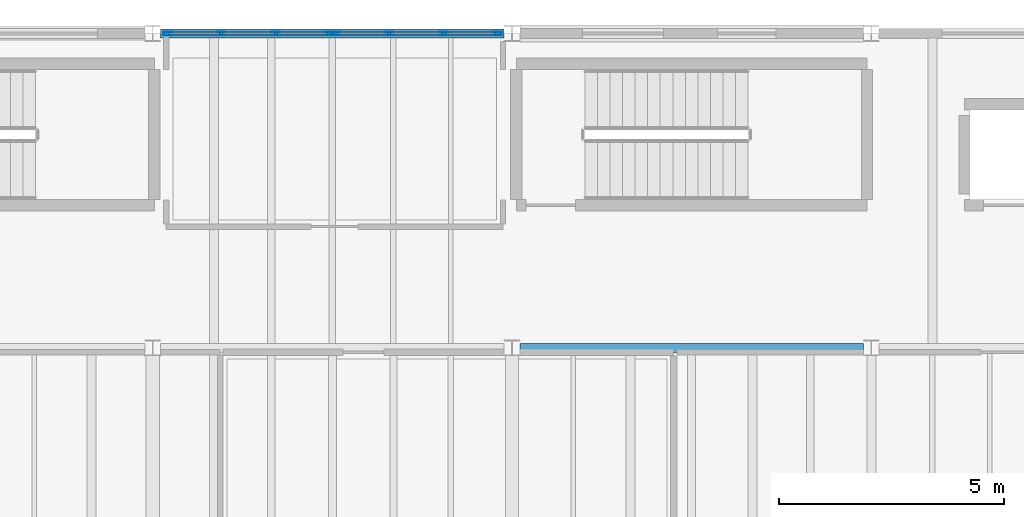
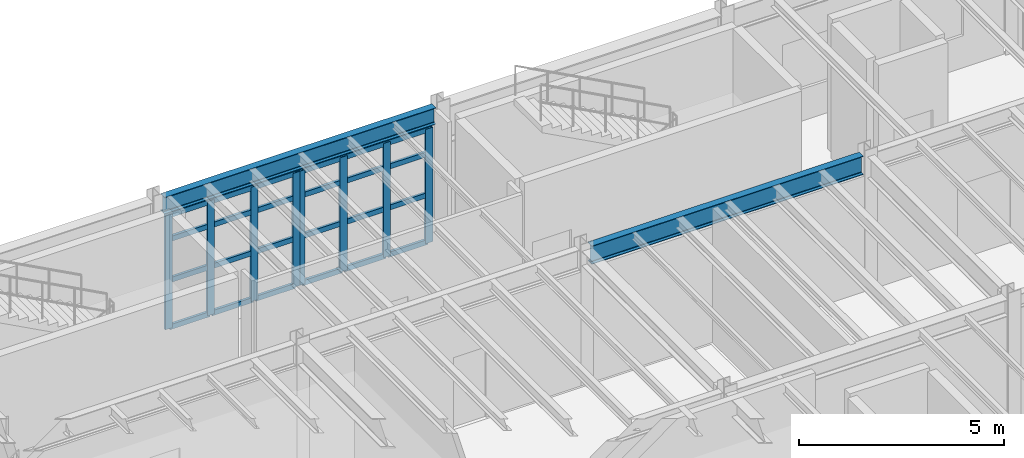
# One storey, part 20 of 78: 32 members, 2 beams, 2 elements without a shape of their own.
"""IFC4 building model written with IfcOpenShell, lengths in metres."""

from ifc_helpers import new_model, si_unit, direction, frame, origin, origin_2d, place, context, subcontext, project, spatial, hollow_rectangle, i_section, extrude, material, material_profile, profile_set, type_object, element, aggregate, save


model = new_model("IFC4")

# Units and contexts
model_context = context("Model", 3, precision=1e-05, world=origin(), true_north=direction((0.0, 1.0)))
body_context = subcontext(model_context, "Body", "Model", "MODEL_VIEW")
ifc_project = project(units=[si_unit("LENGTHUNIT", "METRE"), si_unit("AREAUNIT", "SQUARE_METRE"), si_unit("VOLUMEUNIT", "CUBIC_METRE"), si_unit("PLANEANGLEUNIT", "RADIAN"), si_unit("MASSUNIT", "GRAM", prefix="KILO"), si_unit("THERMODYNAMICTEMPERATUREUNIT", "KELVIN"), si_unit("POWERUNIT", "WATT")], contexts=[model_context])

# Site, building, storey
site_placement = place(None, origin())
site = spatial("IfcSite", under=ifc_project, at=site_placement, CompositionType="ELEMENT")
building_placement = place(site_placement, origin())
building = spatial("IfcBuilding", under=site, at=building_placement, Name="Zhenchuan Central Fire Station", CompositionType="ELEMENT")
storey_placement = place(building_placement, frame((0.0, 0.0, 5.85009765625)))
storey = spatial("IfcBuildingStorey", under=building, at=storey_placement, Name="L02", CompositionType="ELEMENT", Elevation=5.85009765625)

# Beam
ifc_material_1 = material(Name="Steel Q355B", Category="steel")
ifc_material_profile_1 = material_profile(ifc_material_1, i_section(OverallWidth=0.199951171875, OverallDepth=0.550048828125, WebThickness=0.010009765625, FlangeThickness=0.01611328125, FilletRadius=0.02001953125, at=origin_2d()), Name="HN 550x200")
ifc_profile_set_1 = profile_set([ifc_material_profile_1], Name="Steel Q355B")
beam_type_1 = type_object("IfcBeamType", Name="BM-HN550-INT", PredefinedType="BEAM", material=ifc_profile_set_1)
beam_1_placement = place(storey_placement, frame((16.175048828125, 49.5, 3.724853515625), z_axis=(1.0, 0.0, 0.0), x_axis=(0.0, 1.0, 0.0)))
element("IfcBeam", 1, at=beam_1_placement, inside=storey, type_object=beam_type_1, Name="L03 Girder EW 0255", PredefinedType="BEAM", context=body_context, shape_type="SweptSolid", body=[
    extrude(i_section(OverallWidth=0.199951171875, OverallDepth=0.550048828125, WebThickness=0.010009765625, FlangeThickness=0.01611328125, FilletRadius=0.02001953125, at=origin_2d()), origin(), (0.0, 0.0, 1.0), 7.64990234375),
])

# Curtain wall, members
ifc_material_2 = material(Name="Anodised aluminium and low-E glazing", Category="aluminium")
curtain_wall_type_1 = type_object("IfcCurtainWallType", Name="CW-MOD-05", PredefinedType="USERDEFINED", material=ifc_material_2)
curtain_wall_1_placement = place(storey_placement, origin())
curtain_wall_1 = element("IfcCurtainWall", 2, at=curtain_wall_1_placement, inside=storey, type_object=curtain_wall_type_1, Name="L02 Unitised Curtain Wall 058", ObjectType="UNITISED GLAZING", PredefinedType="USERDEFINED")
ifc_material_3 = material(Name="Anodised aluminium EN AW-6063", Category="aluminium")
ifc_material_profile_2 = material_profile(ifc_material_3, hollow_rectangle(XDim=0.074951171875, YDim=0.199951171875, WallThickness=0.0048828125, at=origin_2d()), Name="ALU-M 200x75")
ifc_profile_set_2 = profile_set([ifc_material_profile_2], Name="Anodised aluminium EN AW-6063")
member_type_1 = type_object("IfcMemberType", Name="CW-MUL160", PredefinedType="MULLION", material=ifc_profile_set_2)
member_1_placement = place(storey_placement, frame((8.33251953125, 56.5, -0.004150390625), z_axis=(0.0, 0.0, 1.0), x_axis=(0.0, 1.0, 0.0)))
member_1 = element("IfcMember", 3, at=member_1_placement, type_object=member_type_1, Name="CW-05 mullion 1", PredefinedType="MULLION", context=body_context, shape_type="SweptSolid", body=[
    extrude(hollow_rectangle(XDim=0.074951171875, YDim=0.199951171875, WallThickness=0.0048828125, at=origin_2d()), origin(), (0.0, 0.0, 1.0), 3.404052734375),
])
member_2_placement = place(storey_placement, frame((9.520751953125, 56.5, -0.004150390625), z_axis=(0.0, 0.0, 1.0), x_axis=(0.0, 1.0, 0.0)))
member_2 = element("IfcMember", 4, at=member_2_placement, type_object=member_type_1, Name="CW-05 mullion 2", PredefinedType="MULLION", context=body_context, shape_type="SweptSolid", body=[
    extrude(hollow_rectangle(XDim=0.074951171875, YDim=0.199951171875, WallThickness=0.0048828125, at=origin_2d()), origin(), (0.0, 0.0, 1.0), 3.404052734375),
])
member_3_placement = place(storey_placement, frame((10.741455078125, 56.5, -0.004150390625), z_axis=(0.0, 0.0, 1.0), x_axis=(0.0, 1.0, 0.0)))
member_3 = element("IfcMember", 5, at=member_3_placement, type_object=member_type_1, Name="CW-05 mullion 3", PredefinedType="MULLION", context=body_context, shape_type="SweptSolid", body=[
    extrude(hollow_rectangle(XDim=0.074951171875, YDim=0.199951171875, WallThickness=0.0048828125, at=origin_2d()), origin(), (0.0, 0.0, 1.0), 3.404052734375),
])
member_4_placement = place(storey_placement, frame((11.929443359375, 56.5, -0.004150390625), z_axis=(0.0, 0.0, 1.0), x_axis=(0.0, 1.0, 0.0)))
member_4 = element("IfcMember", 6, at=member_4_placement, type_object=member_type_1, Name="CW-05 mullion 4", PredefinedType="MULLION", context=body_context, shape_type="SweptSolid", body=[
    extrude(hollow_rectangle(XDim=0.074951171875, YDim=0.199951171875, WallThickness=0.0048828125, at=origin_2d()), origin(), (0.0, 0.0, 1.0), 3.404052734375),
])

curtain_wall_type_2 = type_object("IfcCurtainWallType", Name="CW-MOD-06", PredefinedType="USERDEFINED", material=ifc_material_2)
curtain_wall_2_placement = place(storey_placement, origin())
curtain_wall_2 = element("IfcCurtainWall", 7, at=curtain_wall_2_placement, inside=storey, type_object=curtain_wall_type_2, Name="L02 Unitised Curtain Wall 059", ObjectType="UNITISED GLAZING", PredefinedType="USERDEFINED")
member_5_placement = place(storey_placement, frame((12.070556640625, 56.5, -0.004150390625), z_axis=(0.0, 0.0, 1.0), x_axis=(0.0, 1.0, 0.0)))
member_5 = element("IfcMember", 8, at=member_5_placement, type_object=member_type_1, Name="CW-06 mullion 1", PredefinedType="MULLION", context=body_context, shape_type="SweptSolid", body=[
    extrude(hollow_rectangle(XDim=0.074951171875, YDim=0.199951171875, WallThickness=0.0048828125, at=origin_2d()), origin(), (0.0, 0.0, 1.0), 3.404052734375),
])
member_6_placement = place(storey_placement, frame((13.258544921875, 56.5, -0.004150390625), z_axis=(0.0, 0.0, 1.0), x_axis=(0.0, 1.0, 0.0)))
member_6 = element("IfcMember", 9, at=member_6_placement, type_object=member_type_1, Name="CW-06 mullion 2", PredefinedType="MULLION", context=body_context, shape_type="SweptSolid", body=[
    extrude(hollow_rectangle(XDim=0.074951171875, YDim=0.199951171875, WallThickness=0.0048828125, at=origin_2d()), origin(), (0.0, 0.0, 1.0), 3.404052734375),
])
member_7_placement = place(storey_placement, frame((14.479248046875, 56.5, -0.004150390625), z_axis=(0.0, 0.0, 1.0), x_axis=(0.0, 1.0, 0.0)))
member_7 = element("IfcMember", 10, at=member_7_placement, type_object=member_type_1, Name="CW-06 mullion 3", PredefinedType="MULLION", context=body_context, shape_type="SweptSolid", body=[
    extrude(hollow_rectangle(XDim=0.074951171875, YDim=0.199951171875, WallThickness=0.0048828125, at=origin_2d()), origin(), (0.0, 0.0, 1.0), 3.404052734375),
])
member_8_placement = place(storey_placement, frame((15.66748046875, 56.5, -0.004150390625), z_axis=(0.0, 0.0, 1.0), x_axis=(0.0, 1.0, 0.0)))
member_8 = element("IfcMember", 11, at=member_8_placement, type_object=member_type_1, Name="CW-06 mullion 4", PredefinedType="MULLION", context=body_context, shape_type="SweptSolid", body=[
    extrude(hollow_rectangle(XDim=0.074951171875, YDim=0.199951171875, WallThickness=0.0048828125, at=origin_2d()), origin(), (0.0, 0.0, 1.0), 3.404052734375),
])

# Member
ifc_material_profile_3 = material_profile(ifc_material_3, hollow_rectangle(XDim=0.074951171875, YDim=0.14990234375, WallThickness=0.0048828125, at=origin_2d()), Name="ALU-T 150x75")
ifc_profile_set_3 = profile_set([ifc_material_profile_3], Name="Anodised aluminium EN AW-6063")
member_type_2 = type_object("IfcMemberType", Name="CW-TRN130", PredefinedType="NOTDEFINED", material=ifc_profile_set_3)
member_9_placement = place(storey_placement, frame((8.364990234375, 56.5, 0.0283203125), z_axis=(1.0, 0.0, 0.0), x_axis=(0.0, 1.0, 0.0)))
member_9 = element("IfcMember", 12, at=member_9_placement, type_object=member_type_2, Name="CW-05 transom 1.1", ObjectType="TRANSOM", PredefinedType="USERDEFINED", context=body_context, shape_type="SweptSolid", body=[
    extrude(hollow_rectangle(XDim=0.074951171875, YDim=0.14990234375, WallThickness=0.0048828125, at=origin_2d()), origin(), (0.0, 0.0, 1.0), 1.123291015625),
])

member_10_placement = place(storey_placement, frame((8.364990234375, 56.5, 1.427978515625), z_axis=(1.0, 0.0, 0.0), x_axis=(0.0, 1.0, 0.0)))
member_10 = element("IfcMember", 13, at=member_10_placement, type_object=member_type_2, Name="CW-05 transom 1.2", ObjectType="TRANSOM", PredefinedType="USERDEFINED", context=body_context, shape_type="SweptSolid", body=[
    extrude(hollow_rectangle(XDim=0.074951171875, YDim=0.14990234375, WallThickness=0.0048828125, at=origin_2d()), origin(), (0.0, 0.0, 1.0), 1.123291015625),
])

member_11_placement = place(storey_placement, frame((8.364990234375, 56.5, 2.65185546875), z_axis=(1.0, 0.0, 0.0), x_axis=(0.0, 1.0, 0.0)))
member_11 = element("IfcMember", 14, at=member_11_placement, type_object=member_type_2, Name="CW-05 transom 1.3", ObjectType="TRANSOM", PredefinedType="USERDEFINED", context=body_context, shape_type="SweptSolid", body=[
    extrude(hollow_rectangle(XDim=0.074951171875, YDim=0.14990234375, WallThickness=0.0048828125, at=origin_2d()), origin(), (0.0, 0.0, 1.0), 1.123291015625),
])

member_12_placement = place(storey_placement, frame((8.364990234375, 56.5, 3.367431640625), z_axis=(1.0, 0.0, 0.0), x_axis=(0.0, 1.0, 0.0)))
member_12 = element("IfcMember", 15, at=member_12_placement, type_object=member_type_2, Name="CW-05 transom 1.4", ObjectType="TRANSOM", PredefinedType="USERDEFINED", context=body_context, shape_type="SweptSolid", body=[
    extrude(hollow_rectangle(XDim=0.074951171875, YDim=0.14990234375, WallThickness=0.0048828125, at=origin_2d()), origin(), (0.0, 0.0, 1.0), 1.123291015625),
])

member_13_placement = place(storey_placement, frame((9.55322265625, 56.5, 0.0283203125), z_axis=(1.0, 0.0, 0.0), x_axis=(0.0, 1.0, 0.0)))
member_13 = element("IfcMember", 16, at=member_13_placement, type_object=member_type_2, Name="CW-05 transom 2.1", ObjectType="TRANSOM", PredefinedType="USERDEFINED", context=body_context, shape_type="SweptSolid", body=[
    extrude(hollow_rectangle(XDim=0.074951171875, YDim=0.14990234375, WallThickness=0.0048828125, at=origin_2d()), origin(), (0.0, 0.0, 1.0), 1.155517578125),
])

member_14_placement = place(storey_placement, frame((9.55322265625, 56.5, 1.427978515625), z_axis=(1.0, 0.0, 0.0), x_axis=(0.0, 1.0, 0.0)))
member_14 = element("IfcMember", 17, at=member_14_placement, type_object=member_type_2, Name="CW-05 transom 2.2", ObjectType="TRANSOM", PredefinedType="USERDEFINED", context=body_context, shape_type="SweptSolid", body=[
    extrude(hollow_rectangle(XDim=0.074951171875, YDim=0.14990234375, WallThickness=0.0048828125, at=origin_2d()), origin(), (0.0, 0.0, 1.0), 1.155517578125),
])

member_15_placement = place(storey_placement, frame((9.55322265625, 56.5, 2.65185546875), z_axis=(1.0, 0.0, 0.0), x_axis=(0.0, 1.0, 0.0)))
member_15 = element("IfcMember", 18, at=member_15_placement, type_object=member_type_2, Name="CW-05 transom 2.3", ObjectType="TRANSOM", PredefinedType="USERDEFINED", context=body_context, shape_type="SweptSolid", body=[
    extrude(hollow_rectangle(XDim=0.074951171875, YDim=0.14990234375, WallThickness=0.0048828125, at=origin_2d()), origin(), (0.0, 0.0, 1.0), 1.155517578125),
])

member_16_placement = place(storey_placement, frame((9.55322265625, 56.5, 3.367431640625), z_axis=(1.0, 0.0, 0.0), x_axis=(0.0, 1.0, 0.0)))
member_16 = element("IfcMember", 19, at=member_16_placement, type_object=member_type_2, Name="CW-05 transom 2.4", ObjectType="TRANSOM", PredefinedType="USERDEFINED", context=body_context, shape_type="SweptSolid", body=[
    extrude(hollow_rectangle(XDim=0.074951171875, YDim=0.14990234375, WallThickness=0.0048828125, at=origin_2d()), origin(), (0.0, 0.0, 1.0), 1.155517578125),
])

member_17_placement = place(storey_placement, frame((10.77392578125, 56.5, 0.0283203125), z_axis=(1.0, 0.0, 0.0), x_axis=(0.0, 1.0, 0.0)))
member_17 = element("IfcMember", 20, at=member_17_placement, type_object=member_type_2, Name="CW-05 transom 3.1", ObjectType="TRANSOM", PredefinedType="USERDEFINED", context=body_context, shape_type="SweptSolid", body=[
    extrude(hollow_rectangle(XDim=0.074951171875, YDim=0.14990234375, WallThickness=0.0048828125, at=origin_2d()), origin(), (0.0, 0.0, 1.0), 1.123046875),
])

member_18_placement = place(storey_placement, frame((10.77392578125, 56.5, 1.427978515625), z_axis=(1.0, 0.0, 0.0), x_axis=(0.0, 1.0, 0.0)))
member_18 = element("IfcMember", 21, at=member_18_placement, type_object=member_type_2, Name="CW-05 transom 3.2", ObjectType="TRANSOM", PredefinedType="USERDEFINED", context=body_context, shape_type="SweptSolid", body=[
    extrude(hollow_rectangle(XDim=0.074951171875, YDim=0.14990234375, WallThickness=0.0048828125, at=origin_2d()), origin(), (0.0, 0.0, 1.0), 1.123046875),
])

member_19_placement = place(storey_placement, frame((10.77392578125, 56.5, 2.65185546875), z_axis=(1.0, 0.0, 0.0), x_axis=(0.0, 1.0, 0.0)))
member_19 = element("IfcMember", 22, at=member_19_placement, type_object=member_type_2, Name="CW-05 transom 3.3", ObjectType="TRANSOM", PredefinedType="USERDEFINED", context=body_context, shape_type="SweptSolid", body=[
    extrude(hollow_rectangle(XDim=0.074951171875, YDim=0.14990234375, WallThickness=0.0048828125, at=origin_2d()), origin(), (0.0, 0.0, 1.0), 1.123046875),
])

member_20_placement = place(storey_placement, frame((10.77392578125, 56.5, 3.367431640625), z_axis=(1.0, 0.0, 0.0), x_axis=(0.0, 1.0, 0.0)))
member_20 = element("IfcMember", 23, at=member_20_placement, type_object=member_type_2, Name="CW-05 transom 3.4", ObjectType="TRANSOM", PredefinedType="USERDEFINED", context=body_context, shape_type="SweptSolid", body=[
    extrude(hollow_rectangle(XDim=0.074951171875, YDim=0.14990234375, WallThickness=0.0048828125, at=origin_2d()), origin(), (0.0, 0.0, 1.0), 1.123046875),
])

aggregate(curtain_wall_1, [member_1, member_2, member_3, member_4, member_9, member_10, member_11, member_12, member_13, member_14, member_15, member_16, member_17, member_18, member_19, member_20])

member_21_placement = place(storey_placement, frame((12.10302734375, 56.5, 0.0283203125), z_axis=(1.0, 0.0, 0.0), x_axis=(0.0, 1.0, 0.0)))
member_21 = element("IfcMember", 24, at=member_21_placement, type_object=member_type_2, Name="CW-06 transom 1.1", ObjectType="TRANSOM", PredefinedType="USERDEFINED", context=body_context, shape_type="SweptSolid", body=[
    extrude(hollow_rectangle(XDim=0.074951171875, YDim=0.14990234375, WallThickness=0.0048828125, at=origin_2d()), origin(), (0.0, 0.0, 1.0), 1.123046875),
])

member_22_placement = place(storey_placement, frame((12.10302734375, 56.5, 1.427978515625), z_axis=(1.0, 0.0, 0.0), x_axis=(0.0, 1.0, 0.0)))
member_22 = element("IfcMember", 25, at=member_22_placement, type_object=member_type_2, Name="CW-06 transom 1.2", ObjectType="TRANSOM", PredefinedType="USERDEFINED", context=body_context, shape_type="SweptSolid", body=[
    extrude(hollow_rectangle(XDim=0.074951171875, YDim=0.14990234375, WallThickness=0.0048828125, at=origin_2d()), origin(), (0.0, 0.0, 1.0), 1.123046875),
])

member_23_placement = place(storey_placement, frame((12.10302734375, 56.5, 2.65185546875), z_axis=(1.0, 0.0, 0.0), x_axis=(0.0, 1.0, 0.0)))
member_23 = element("IfcMember", 26, at=member_23_placement, type_object=member_type_2, Name="CW-06 transom 1.3", ObjectType="TRANSOM", PredefinedType="USERDEFINED", context=body_context, shape_type="SweptSolid", body=[
    extrude(hollow_rectangle(XDim=0.074951171875, YDim=0.14990234375, WallThickness=0.0048828125, at=origin_2d()), origin(), (0.0, 0.0, 1.0), 1.123046875),
])

member_24_placement = place(storey_placement, frame((12.10302734375, 56.5, 3.367431640625), z_axis=(1.0, 0.0, 0.0), x_axis=(0.0, 1.0, 0.0)))
member_24 = element("IfcMember", 27, at=member_24_placement, type_object=member_type_2, Name="CW-06 transom 1.4", ObjectType="TRANSOM", PredefinedType="USERDEFINED", context=body_context, shape_type="SweptSolid", body=[
    extrude(hollow_rectangle(XDim=0.074951171875, YDim=0.14990234375, WallThickness=0.0048828125, at=origin_2d()), origin(), (0.0, 0.0, 1.0), 1.123046875),
])

member_25_placement = place(storey_placement, frame((13.291259765625, 56.5, 0.0283203125), z_axis=(1.0, 0.0, 0.0), x_axis=(0.0, 1.0, 0.0)))
member_25 = element("IfcMember", 28, at=member_25_placement, type_object=member_type_2, Name="CW-06 transom 2.1", ObjectType="TRANSOM", PredefinedType="USERDEFINED", context=body_context, shape_type="SweptSolid", body=[
    extrude(hollow_rectangle(XDim=0.074951171875, YDim=0.14990234375, WallThickness=0.0048828125, at=origin_2d()), origin(), (0.0, 0.0, 1.0), 1.155517578125),
])

member_26_placement = place(storey_placement, frame((13.291259765625, 56.5, 1.427978515625), z_axis=(1.0, 0.0, 0.0), x_axis=(0.0, 1.0, 0.0)))
member_26 = element("IfcMember", 29, at=member_26_placement, type_object=member_type_2, Name="CW-06 transom 2.2", ObjectType="TRANSOM", PredefinedType="USERDEFINED", context=body_context, shape_type="SweptSolid", body=[
    extrude(hollow_rectangle(XDim=0.074951171875, YDim=0.14990234375, WallThickness=0.0048828125, at=origin_2d()), origin(), (0.0, 0.0, 1.0), 1.155517578125),
])

member_27_placement = place(storey_placement, frame((13.291259765625, 56.5, 2.65185546875), z_axis=(1.0, 0.0, 0.0), x_axis=(0.0, 1.0, 0.0)))
member_27 = element("IfcMember", 30, at=member_27_placement, type_object=member_type_2, Name="CW-06 transom 2.3", ObjectType="TRANSOM", PredefinedType="USERDEFINED", context=body_context, shape_type="SweptSolid", body=[
    extrude(hollow_rectangle(XDim=0.074951171875, YDim=0.14990234375, WallThickness=0.0048828125, at=origin_2d()), origin(), (0.0, 0.0, 1.0), 1.155517578125),
])

member_28_placement = place(storey_placement, frame((13.291259765625, 56.5, 3.367431640625), z_axis=(1.0, 0.0, 0.0), x_axis=(0.0, 1.0, 0.0)))
member_28 = element("IfcMember", 31, at=member_28_placement, type_object=member_type_2, Name="CW-06 transom 2.4", ObjectType="TRANSOM", PredefinedType="USERDEFINED", context=body_context, shape_type="SweptSolid", body=[
    extrude(hollow_rectangle(XDim=0.074951171875, YDim=0.14990234375, WallThickness=0.0048828125, at=origin_2d()), origin(), (0.0, 0.0, 1.0), 1.155517578125),
])

member_29_placement = place(storey_placement, frame((14.51171875, 56.5, 0.0283203125), z_axis=(1.0, 0.0, 0.0), x_axis=(0.0, 1.0, 0.0)))
member_29 = element("IfcMember", 32, at=member_29_placement, type_object=member_type_2, Name="CW-06 transom 3.1", ObjectType="TRANSOM", PredefinedType="USERDEFINED", context=body_context, shape_type="SweptSolid", body=[
    extrude(hollow_rectangle(XDim=0.074951171875, YDim=0.14990234375, WallThickness=0.0048828125, at=origin_2d()), origin(), (0.0, 0.0, 1.0), 1.123291015625),
])

member_30_placement = place(storey_placement, frame((14.51171875, 56.5, 1.427978515625), z_axis=(1.0, 0.0, 0.0), x_axis=(0.0, 1.0, 0.0)))
member_30 = element("IfcMember", 33, at=member_30_placement, type_object=member_type_2, Name="CW-06 transom 3.2", ObjectType="TRANSOM", PredefinedType="USERDEFINED", context=body_context, shape_type="SweptSolid", body=[
    extrude(hollow_rectangle(XDim=0.074951171875, YDim=0.14990234375, WallThickness=0.0048828125, at=origin_2d()), origin(), (0.0, 0.0, 1.0), 1.123291015625),
])

member_31_placement = place(storey_placement, frame((14.51171875, 56.5, 2.65185546875), z_axis=(1.0, 0.0, 0.0), x_axis=(0.0, 1.0, 0.0)))
member_31 = element("IfcMember", 34, at=member_31_placement, type_object=member_type_2, Name="CW-06 transom 3.3", ObjectType="TRANSOM", PredefinedType="USERDEFINED", context=body_context, shape_type="SweptSolid", body=[
    extrude(hollow_rectangle(XDim=0.074951171875, YDim=0.14990234375, WallThickness=0.0048828125, at=origin_2d()), origin(), (0.0, 0.0, 1.0), 1.123291015625),
])

member_32_placement = place(storey_placement, frame((14.51171875, 56.5, 3.367431640625), z_axis=(1.0, 0.0, 0.0), x_axis=(0.0, 1.0, 0.0)))
member_32 = element("IfcMember", 35, at=member_32_placement, type_object=member_type_2, Name="CW-06 transom 3.4", ObjectType="TRANSOM", PredefinedType="USERDEFINED", context=body_context, shape_type="SweptSolid", body=[
    extrude(hollow_rectangle(XDim=0.074951171875, YDim=0.14990234375, WallThickness=0.0048828125, at=origin_2d()), origin(), (0.0, 0.0, 1.0), 1.123291015625),
])

aggregate(curtain_wall_2, [member_5, member_6, member_7, member_8, member_21, member_22, member_23, member_24, member_25, member_26, member_27, member_28, member_29, member_30, member_31, member_32])

# Beam
ifc_material_profile_4 = material_profile(ifc_material_1, i_section(OverallWidth=0.199951171875, OverallDepth=0.5, WebThickness=0.010009765625, FlangeThickness=0.01611328125, FilletRadius=0.02001953125, at=origin_2d()), Name="HN 500x200")
ifc_profile_set_4 = profile_set([ifc_material_profile_4], Name="Steel Q355B")
beam_type_2 = type_object("IfcBeamType", Name="SP-HN500", PredefinedType="SPANDREL", material=ifc_profile_set_4)
beam_2_placement = place(storey_placement, frame((8.175048828125, 56.5, 3.75), z_axis=(1.0, 0.0, 0.0), x_axis=(0.0, 1.0, 0.0)))
element("IfcBeam", 36, at=beam_2_placement, inside=storey, type_object=beam_type_2, Name="L03 Girder EW 0265", PredefinedType="SPANDREL", context=body_context, shape_type="SweptSolid", body=[
    extrude(i_section(OverallWidth=0.199951171875, OverallDepth=0.5, WebThickness=0.010009765625, FlangeThickness=0.01611328125, FilletRadius=0.02001953125, at=origin_2d()), origin(), (0.0, 0.0, 1.0), 7.64990234375),
])

save(model, "model.ifc")
